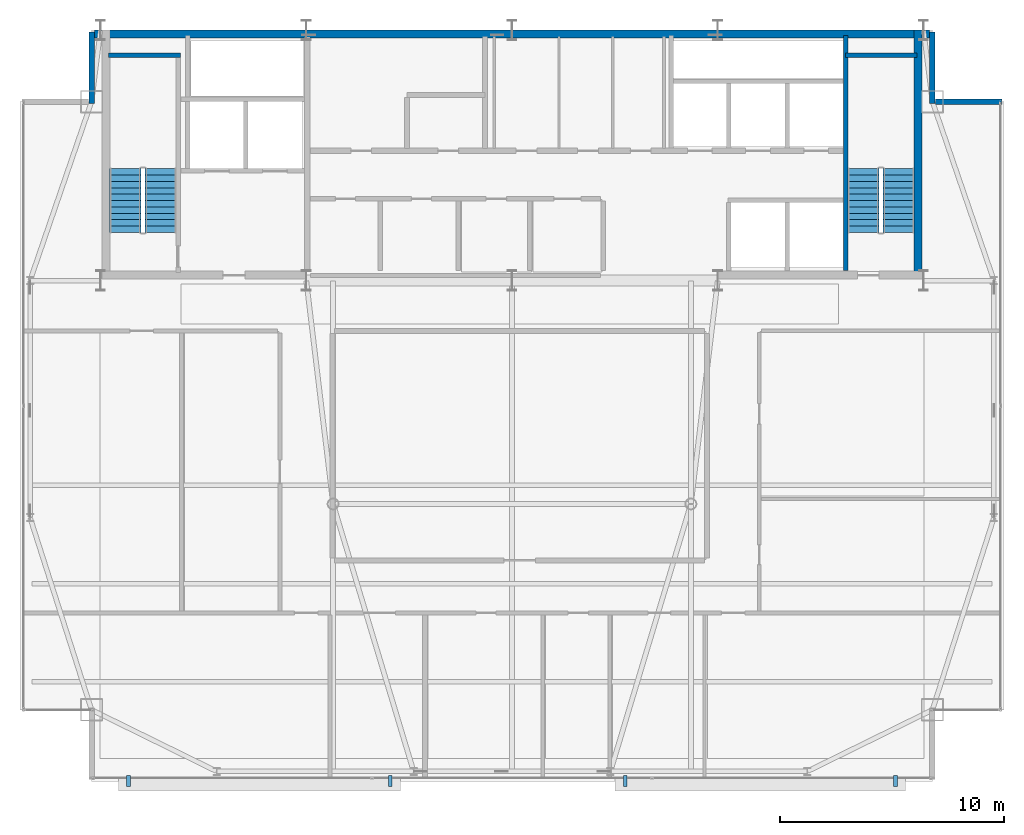
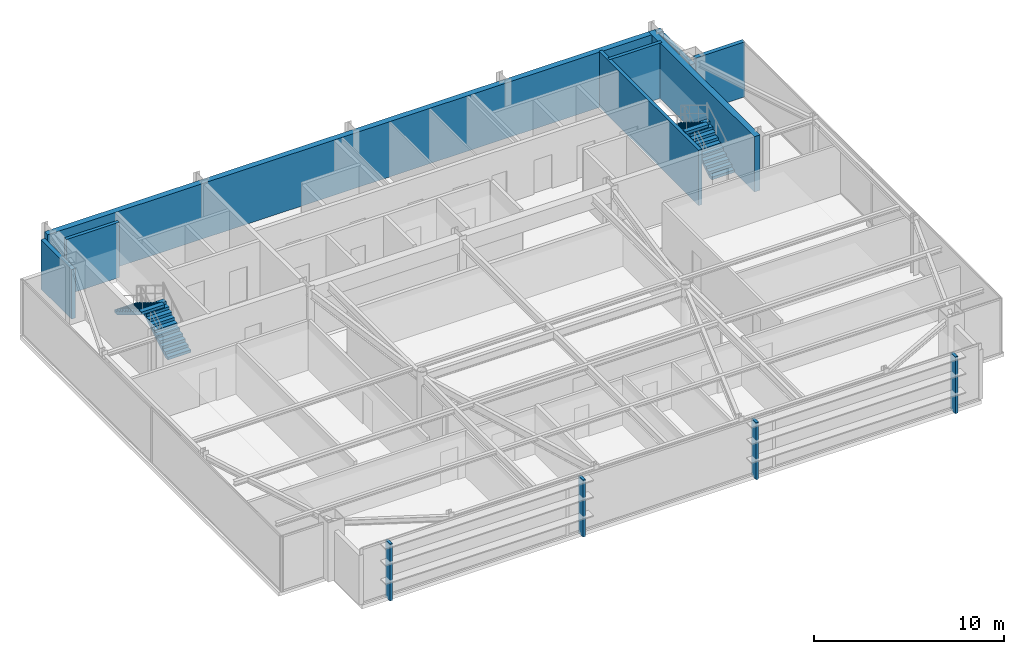
# One storey, part 23 of 24: 8 walls, 4 discrete accessories, 4 stair flights, 2 elements without a shape of their own.
"""IFC4 building model written with IfcOpenShell, lengths in metres."""

from ifc_helpers import new_model, si_unit, direction, frame, frame_2d, origin, origin_2d, place, context, subcontext, project, spatial, polyline, rectangle, outline, extrude, source, transform, mapped, material, layer, layer_set, type_object, type_shapes, element, aggregate, save


model = new_model("IFC4")

# Units and contexts
model_context = context("Model", 3, precision=1e-05, world=origin(), true_north=direction((0.0, 1.0)))
body_context = subcontext(model_context, "Body", "Model", "MODEL_VIEW")
ifc_project = project(units=[si_unit("LENGTHUNIT", "METRE"), si_unit("AREAUNIT", "SQUARE_METRE"), si_unit("VOLUMEUNIT", "CUBIC_METRE"), si_unit("PLANEANGLEUNIT", "RADIAN"), si_unit("MASSUNIT", "GRAM", prefix="KILO")], contexts=[model_context])

# Site, building, storey
site_placement = place(None, origin())
site = spatial("IfcSite", under=ifc_project, at=site_placement, CompositionType="ELEMENT")
building_placement = place(site_placement, origin())
building = spatial("IfcBuilding", under=site, at=building_placement, Name="Varnel Quay Broadcast Tower", CompositionType="ELEMENT")
storey_placement = place(building_placement, frame((0.0, 0.0, 292.60009765625)))
storey = spatial("IfcBuildingStorey", under=building, at=storey_placement, Name="L73", CompositionType="ELEMENT", Elevation=292.60009765625)

# Walls
ifc_material_1 = material(Name="Concrete CSA A23.3 C50/60", Category="concrete")
ifc_layer_1 = layer(ifc_material_1, 0.199951171875, Name="Concrete CSA A23.3 C50/60")
ifc_layer_set_1 = layer_set([ifc_layer_1], Name="Concrete CSA A23.3 C50/60")
wall_type_1 = type_object("IfcWallType", Name="Wall_CoreShaftShear200", PredefinedType="SHEAR", material=ifc_layer_set_1)
wall_1_placement = place(storey_placement, frame((15.949951171875, 45.679931640625, 0.0), z_axis=(0.0, 0.0, 1.0), x_axis=(1.0, 0.0, 0.0)))
element("IfcWall", 1, at=wall_1_placement, inside=storey, type_object=wall_type_1, Name="L73 Stair 1 North Structural Wall", PredefinedType="SHEAR", context=body_context, shape_type="SweptSolid", body=[
    extrude(rectangle(XDim=3.22998046875, YDim=0.199951171875, at=frame_2d((1.614990234375, 0.0))), origin(), (0.0, 0.0, 1.0), 3.5498046875),
])
wall_2_placement = place(storey_placement, frame((48.919921875, 36.050048828125, 0.0), z_axis=(0.0, 0.0, 1.0), x_axis=(0.0, 1.0, 0.0)))
element("IfcWall", 2, at=wall_2_placement, inside=storey, type_object=wall_type_1, Name="L73 Stair 2 West Structural Wall", PredefinedType="SHEAR", context=body_context, shape_type="SweptSolid", body=[
    extrude(rectangle(XDim=10.5, YDim=0.199951171875, at=frame_2d((5.25, 0.0))), origin(), (0.0, 0.0, 1.0), 3.5498046875),
])
wall_3_placement = place(storey_placement, frame((48.919921875, 45.679931640625, 0.0), z_axis=(0.0, 0.0, 1.0), x_axis=(1.0, 0.0, 0.0)))
element("IfcWall", 3, at=wall_3_placement, inside=storey, type_object=wall_type_1, Name="L73 Stair 2 North Structural Wall", PredefinedType="SHEAR", context=body_context, shape_type="SweptSolid", body=[
    extrude(rectangle(XDim=3.18017578125, YDim=0.199951171875, at=frame_2d((1.590087890625, 0.0))), origin(), (0.0, 0.0, 1.0), 3.5498046875),
])
ifc_layer_2 = layer(ifc_material_1, 0.35009765625, Name="Concrete CSA A23.3 C50/60")
ifc_layer_set_2 = layer_set([ifc_layer_2], Name="Concrete CSA A23.3 C50/60")
wall_type_2 = type_object("IfcWallType", Name="Wall_CoreShearExt350", PredefinedType="SHEAR", material=ifc_layer_set_2)
wall_4_placement = place(storey_placement, frame((15.324951171875, 46.625, 0.0), z_axis=(0.0, 0.0, 1.0), x_axis=(1.0, 0.0, 0.0)))
element("IfcWall", 4, at=wall_4_placement, inside=storey, type_object=wall_type_2, Name="L73 North Core Shear Wall", PredefinedType="SHEAR", context=body_context, shape_type="SweptSolid", body=[
    extrude(rectangle(XDim=37.35009765625, YDim=0.35009765625, at=frame_2d((18.675048828125, 0.0))), origin(), (0.0, 0.0, 1.0), 3.5498046875),
])
ifc_layer_3 = layer(ifc_material_1, 0.35009765625, Name="Concrete CSA A23.3 C50/60")
ifc_layer_set_3 = layer_set([ifc_layer_3], Name="Concrete CSA A23.3 C50/60")
wall_type_3 = type_object("IfcWallType", Name="Wall_CoreShearInt350", PredefinedType="SHEAR", material=ifc_layer_set_3)
wall_5_placement = place(storey_placement, frame((52.155029296875, 35.669921875, 0.0), z_axis=(0.0, 0.0, 1.0), x_axis=(0.0, 1.0, 0.0)))
element("IfcWall", 5, at=wall_5_placement, inside=storey, type_object=wall_type_3, Name="L73 East Core Shear Wall", PredefinedType="SHEAR", context=body_context, shape_type="SweptSolid", body=[
    extrude(rectangle(XDim=11.130126953125, YDim=0.35009765625, at=frame_2d((5.56494140625, 0.0))), origin(), (0.0, 0.0, 1.0), 3.5498046875),
])
ifc_material_2 = material(Name="Precast Architectural Concrete C40/50", Category="concrete")
ifc_layer_4 = layer(ifc_material_2, 0.25, Name="Precast Architectural Concrete C40/50")
ifc_layer_set_4 = layer_set([ifc_layer_4], Name="Precast Architectural Concrete C40/50")
wall_type_4 = type_object("IfcWallType", Name="Wall_ExtTerrace250", PredefinedType="SOLIDWALL", material=ifc_layer_set_4)
wall_6_placement = place(storey_placement, frame((15.199951171875, 43.52001953125, 0.0), z_axis=(0.0, 0.0, 1.0), x_axis=(0.0, 1.0, 0.0)))
element("IfcWall", 6, at=wall_6_placement, inside=storey, type_object=wall_type_4, Name="L73 Mega-Column Notch Cladding Wall NNW2", PredefinedType="SOLIDWALL", context=body_context, shape_type="SweptSolid", body=[
    extrude(rectangle(XDim=3.199951171875, YDim=0.25, at=frame_2d((1.60009765625, 0.0))), origin(), (0.0, 0.0, 1.0), 3.1708984375),
])
wall_7_placement = place(storey_placement, frame((52.929931640625, 43.60009765625, 0.0), z_axis=(0.0, 0.0, 1.0), x_axis=(1.0, 0.0, 0.0)))
element("IfcWall", 7, at=wall_7_placement, inside=storey, type_object=wall_type_4, Name="L73 Mega-Column Notch Cladding Wall NNE1", PredefinedType="SOLIDWALL", context=body_context, shape_type="SweptSolid", body=[
    extrude(rectangle(XDim=2.989990234375, YDim=0.25, at=frame_2d((1.4951171875, 0.0))), origin(), (0.0, 0.0, 1.0), 3.52978515625),
])
wall_8_placement = place(storey_placement, frame((52.800048828125, 43.52001953125, 0.0), z_axis=(0.0, 0.0, 1.0), x_axis=(0.0, 1.0, 0.0)))
element("IfcWall", 8, at=wall_8_placement, inside=storey, type_object=wall_type_4, Name="L73 Mega-Column Notch Cladding Wall NNE2", PredefinedType="SOLIDWALL", context=body_context, shape_type="SweptSolid", body=[
    extrude(rectangle(XDim=3.199951171875, YDim=0.25, at=frame_2d((1.60009765625, 0.0))), origin(), (0.0, 0.0, 1.0), 3.1708984375),
])

# Stair, stair flights
ifc_material_3 = material(Name="Precast Structural Concrete C40/50", Category="concrete")
stair_type_1 = type_object("IfcStairType", Name="Stair_ST-01", PredefinedType="HALF_TURN_STAIR", material=ifc_material_3)
stair_1_placement = place(storey_placement, origin())
stair_1 = element("IfcStair", 9, at=stair_1_placement, inside=storey, type_object=stair_type_1, Name="L73 West Core Exit Stair 1", PredefinedType="HALF_TURN_STAIR")
stair_flight_type_1 = type_object("IfcStairFlightType", Name="Flight_ST-01", PredefinedType="STRAIGHT", material=ifc_material_3)
stair_flight_1_placement = place(storey_placement, frame((18.300048828125, 37.75, 0.0), z_axis=(0.0, 0.0, 1.0), x_axis=(0.0, 1.0, 0.0)))
stair_flight_1 = element("IfcStairFlight", 10, at=stair_flight_1_placement, type_object=stair_flight_type_1, Name="ST-01 flight 1", NumberOfRisers=11, NumberOfTreads=10, PredefinedType="STRAIGHT", RiserHeight=0.172727273, TreadLength=0.285, context=body_context, shape_type="SweptSolid", body=[
    extrude(outline(polyline([(0.0, 0.0), (0.0, 0.172607421875), (0.284912109375, 0.172607421875), (0.284912109375, 0.345458984375), (0.570068359375, 0.345458984375), (0.570068359375, 0.51806640625), (0.85498046875, 0.51806640625), (0.85498046875, 0.69091796875), (1.139892578125, 0.69091796875), (1.139892578125, 0.863525390625), (1.425048828125, 0.863525390625), (1.425048828125, 1.036376953125), (1.7099609375, 1.036376953125), (1.7099609375, 1.208984375), (1.9951171875, 1.208984375), (1.9951171875, 1.3818359375), (2.280029296875, 1.3818359375), (2.280029296875, 1.554443359375), (2.56494140625, 1.554443359375), (2.56494140625, 1.727294921875), (2.85009765625, 1.727294921875), (2.85009765625, 1.89990234375), (2.85009765625, 1.552001953125), (0.289306640625, 0.0), (0.0, 0.0)])), frame((0.0, 0.699951171875, 0.0), z_axis=(0.0, -1.0, 0.0), x_axis=(1.0, 0.0, 0.0)), (0.0, 0.0, 1.0), 1.39990234375),
])
stair_flight_2_placement = place(storey_placement, frame((16.699951171875, 40.60009765625, 1.89990234375), z_axis=(0.0, 0.0, 1.0), x_axis=(0.0, -1.0, 0.0)))
stair_flight_2 = element("IfcStairFlight", 11, at=stair_flight_2_placement, type_object=stair_flight_type_1, Name="ST-01 flight 2", NumberOfRisers=11, NumberOfTreads=10, PredefinedType="STRAIGHT", RiserHeight=0.172727273, TreadLength=0.285, context=body_context, shape_type="SweptSolid", body=[
    extrude(outline(polyline([(0.0, 0.0), (0.0, 0.172607421875), (0.284912109375, 0.172607421875), (0.284912109375, 0.345458984375), (0.570068359375, 0.345458984375), (0.570068359375, 0.51806640625), (0.85498046875, 0.51806640625), (0.85498046875, 0.69091796875), (1.139892578125, 0.69091796875), (1.139892578125, 0.863525390625), (1.425048828125, 0.863525390625), (1.425048828125, 1.036376953125), (1.7099609375, 1.036376953125), (1.7099609375, 1.208984375), (1.9951171875, 1.208984375), (1.9951171875, 1.3818359375), (2.280029296875, 1.3818359375), (2.280029296875, 1.554443359375), (2.56494140625, 1.554443359375), (2.56494140625, 1.727294921875), (2.85009765625, 1.727294921875), (2.85009765625, 1.89990234375), (2.85009765625, 1.552001953125), (0.289306640625, 0.0), (0.0, 0.0)])), frame((0.0, 0.699951171875, 0.0), z_axis=(0.0, -1.0, 0.0), x_axis=(1.0, 0.0, 0.0)), (0.0, 0.0, 1.0), 1.39990234375),
])
aggregate(stair_1, [stair_flight_1, stair_flight_2])

stair_type_2 = type_object("IfcStairType", Name="Stair_ST-02", PredefinedType="HALF_TURN_STAIR", material=ifc_material_3)
stair_2_placement = place(storey_placement, origin())
stair_2 = element("IfcStair", 12, at=stair_2_placement, inside=storey, type_object=stair_type_2, Name="L73 East Core Exit Stair 2", PredefinedType="HALF_TURN_STAIR")
stair_flight_type_2 = type_object("IfcStairFlightType", Name="Flight_ST-02", PredefinedType="STRAIGHT", material=ifc_material_3)
stair_flight_3_placement = place(storey_placement, frame((51.300048828125, 37.75, 0.0), z_axis=(0.0, 0.0, 1.0), x_axis=(0.0, 1.0, 0.0)))
stair_flight_3 = element("IfcStairFlight", 13, at=stair_flight_3_placement, type_object=stair_flight_type_2, Name="ST-02 flight 1", NumberOfRisers=11, NumberOfTreads=10, PredefinedType="STRAIGHT", RiserHeight=0.172727273, TreadLength=0.285, context=body_context, shape_type="SweptSolid", body=[
    extrude(outline(polyline([(0.0, 0.0), (0.0, 0.172607421875), (0.284912109375, 0.172607421875), (0.284912109375, 0.345458984375), (0.570068359375, 0.345458984375), (0.570068359375, 0.51806640625), (0.85498046875, 0.51806640625), (0.85498046875, 0.69091796875), (1.139892578125, 0.69091796875), (1.139892578125, 0.863525390625), (1.425048828125, 0.863525390625), (1.425048828125, 1.036376953125), (1.7099609375, 1.036376953125), (1.7099609375, 1.208984375), (1.9951171875, 1.208984375), (1.9951171875, 1.3818359375), (2.280029296875, 1.3818359375), (2.280029296875, 1.554443359375), (2.56494140625, 1.554443359375), (2.56494140625, 1.727294921875), (2.85009765625, 1.727294921875), (2.85009765625, 1.89990234375), (2.85009765625, 1.552001953125), (0.289306640625, 0.0), (0.0, 0.0)])), frame((0.0, 0.699951171875, 0.0), z_axis=(0.0, -1.0, 0.0), x_axis=(1.0, 0.0, 0.0)), (0.0, 0.0, 1.0), 1.39990234375),
])
stair_flight_4_placement = place(storey_placement, frame((49.699951171875, 40.60009765625, 1.89990234375), z_axis=(0.0, 0.0, 1.0), x_axis=(0.0, -1.0, 0.0)))
stair_flight_4 = element("IfcStairFlight", 14, at=stair_flight_4_placement, type_object=stair_flight_type_2, Name="ST-02 flight 2", NumberOfRisers=11, NumberOfTreads=10, PredefinedType="STRAIGHT", RiserHeight=0.172727273, TreadLength=0.285, context=body_context, shape_type="SweptSolid", body=[
    extrude(outline(polyline([(0.0, 0.0), (0.0, 0.172607421875), (0.284912109375, 0.172607421875), (0.284912109375, 0.345458984375), (0.570068359375, 0.345458984375), (0.570068359375, 0.51806640625), (0.85498046875, 0.51806640625), (0.85498046875, 0.69091796875), (1.139892578125, 0.69091796875), (1.139892578125, 0.863525390625), (1.425048828125, 0.863525390625), (1.425048828125, 1.036376953125), (1.7099609375, 1.036376953125), (1.7099609375, 1.208984375), (1.9951171875, 1.208984375), (1.9951171875, 1.3818359375), (2.280029296875, 1.3818359375), (2.280029296875, 1.554443359375), (2.56494140625, 1.554443359375), (2.56494140625, 1.727294921875), (2.85009765625, 1.727294921875), (2.85009765625, 1.89990234375), (2.85009765625, 1.552001953125), (0.289306640625, 0.0), (0.0, 0.0)])), frame((0.0, 0.699951171875, 0.0), z_axis=(0.0, -1.0, 0.0), x_axis=(1.0, 0.0, 0.0)), (0.0, 0.0, 1.0), 1.39990234375),
])
aggregate(stair_2, [stair_flight_3, stair_flight_4])

# Discrete accessories
ifc_material_4 = material(Name="Anodised Bronze Aluminium 6063-T6", Category="aluminium")
ifc_layer_5 = layer(ifc_material_4, 0.47998046875, Name="Anodised Bronze Aluminium 6063-T6")
ifc_layer_set_5 = layer_set([ifc_layer_5], Name="Anodised Bronze Aluminium 6063-T6")
discrete_accessory_type = type_object("IfcDiscreteAccessoryType", Name="Acc_FacadeBracket", PredefinedType="BRACKET", material=ifc_layer_set_5)
shared_shape = source(origin(), body_context, "Body", "SweptSolid", [
    extrude(rectangle(XDim=0.159912109375, YDim=0.47998046875, at=origin_2d()), origin(), (0.0, 0.0, 1.0), 3.64990234375),
])
type_shapes(discrete_accessory_type, [shared_shape])
for number, where, z_axis, x_axis, name in (
    (15, (16.85009765625, 13.219970703125, -0.150146484375), (0.0, 0.0, 1.0), (1.0, 0.0, 0.0), "L73 Lobe 1 Louvre Support Bracket 1"),
    (16, (28.56298828125, 13.219970703125, -0.150146484375), (0.0, 0.0, 1.0), (1.0, 0.0, 0.0), "L73 Lobe 1 Louvre Support Bracket 2"),
    (17, (39.06298828125, 13.219970703125, -0.150146484375), (0.0, 0.0, 1.0), (1.0, 0.0, 0.0), "L73 Lobe 2 Louvre Support Bracket 1"),
    (18, (51.14990234375, 13.219970703125, -0.150146484375), (0.0, 0.0, 1.0), (1.0, 0.0, 0.0), "L73 Lobe 2 Louvre Support Bracket 2"),
):
    element("IfcDiscreteAccessory", number, at=place(storey_placement, frame(where, z_axis=z_axis, x_axis=x_axis)), inside=storey, type_object=discrete_accessory_type, Name=name, PredefinedType="BRACKET", context=body_context, shape_type="MappedRepresentation", body=[
        mapped(shared_shape, transform((0.0, 0.0, 0.0), x_axis=(1.0, 0.0, 0.0), y_axis=(0.0, 1.0, 0.0), z_axis=(0.0, 0.0, 1.0), scale=1.0)),
    ])

save(model, "model.ifc")
